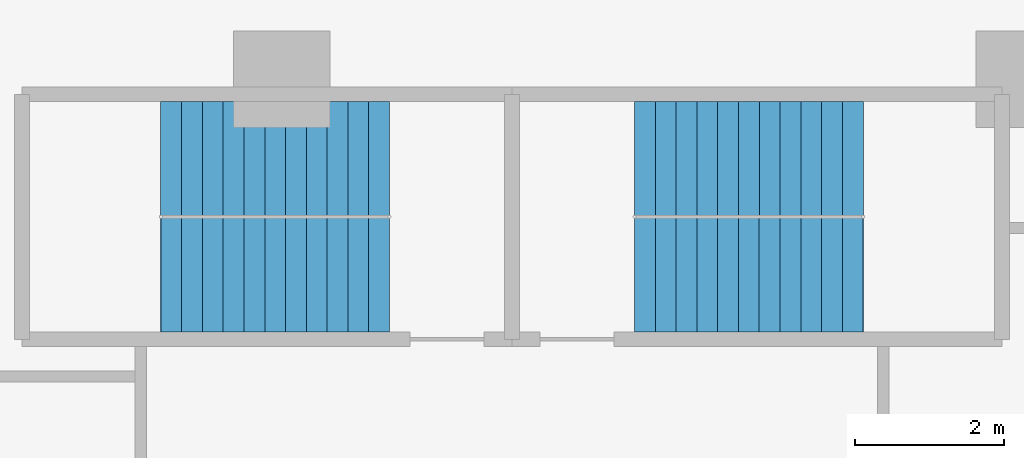
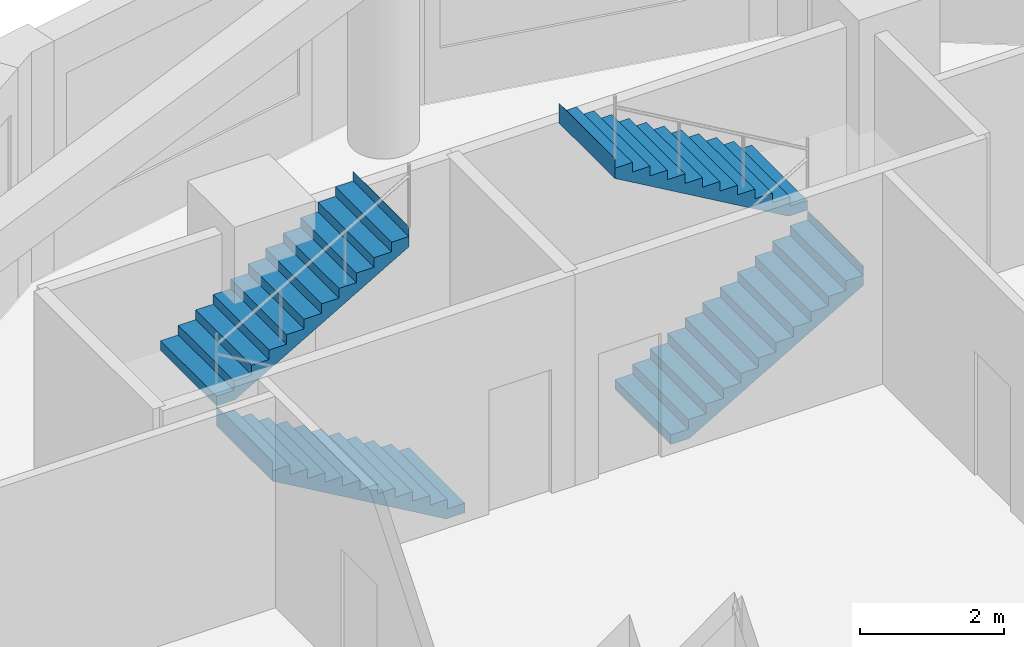
# One storey, part 7 of 9: 4 stair flights, 2 elements without a shape of their own.
"""IFC4 building model written with IfcOpenShell, lengths in metres."""

from ifc_helpers import new_model, si_unit, direction, frame, origin, place, context, subcontext, project, spatial, polyline, outline, extrude, material, type_object, element, aggregate, save


model = new_model("IFC4")

# Units and contexts
model_context = context("Model", 3, precision=1e-05, world=origin(), true_north=direction((0.0, 1.0)))
body_context = subcontext(model_context, "Body", "Model", "MODEL_VIEW")
ifc_project = project(units=[si_unit("LENGTHUNIT", "METRE"), si_unit("AREAUNIT", "SQUARE_METRE"), si_unit("VOLUMEUNIT", "CUBIC_METRE"), si_unit("PLANEANGLEUNIT", "RADIAN"), si_unit("MASSUNIT", "GRAM", prefix="KILO")], contexts=[model_context])

# Site, building, storey
site_placement = place(None, origin())
site = spatial("IfcSite", under=ifc_project, at=site_placement, CompositionType="ELEMENT")
building_placement = place(site_placement, origin())
building = spatial("IfcBuilding", under=site, at=building_placement, Name="Qaws Garden Tower", CompositionType="ELEMENT")
storey_placement = place(building_placement, frame((0.0, 0.0, 190.199951171875)))
storey = spatial("IfcBuildingStorey", under=building, at=storey_placement, Name="L46", CompositionType="ELEMENT", Elevation=190.199951171875)

# Stair, stair flights
ifc_material_1 = material(Name="Concrete C40", Category="concrete")
stair_type = type_object("IfcStairType", Name="Exit stair 1350", PredefinedType="HALF_TURN_STAIR", material=ifc_material_1)
placement = place(storey_placement, origin())
stair_1 = element("IfcStair", 1, at=placement, inside=storey, type_object=stair_type, Name="Stair 6", PredefinedType="HALF_TURN_STAIR")
ifc_material_2 = material(Name="Concrete C40", Category="concrete")
stair_flight_type = type_object("IfcStairFlightType", Name="Stair flight 1350", PredefinedType="STRAIGHT", material=ifc_material_2)
stair_flight_1_placement = place(storey_placement, frame((11.449951171875, 67.375, 0.0), z_axis=(0.0, 0.0, 1.0), x_axis=(-1.0, 0.0, 0.0)))
stair_flight_1 = element("IfcStairFlight", 2, at=stair_flight_1_placement, type_object=stair_flight_type, Name="ST6 flight 1", NumberOfRisers=12, NumberOfTreads=11, PredefinedType="STRAIGHT", RiserHeight=0.1625, TreadLength=0.28, context=body_context, shape_type="SweptSolid", body=[
    extrude(outline(polyline([(-0.0029296875, 0.0), (-0.0029296875, 0.16259765625), (0.0, 0.16259765625), (0.280029296875, 0.16259765625), (0.280029296875, 0.324951171875), (0.56005859375, 0.324951171875), (0.56005859375, 0.487548828125), (0.840087890625, 0.487548828125), (0.840087890625, 0.64990234375), (1.1201171875, 0.64990234375), (1.1201171875, 0.8125), (1.39990234375, 0.8125), (1.39990234375, 0.97509765625), (1.679931640625, 0.97509765625), (1.679931640625, 1.137451171875), (1.9599609375, 1.137451171875), (1.9599609375, 1.300048828125), (2.239990234375, 1.300048828125), (2.239990234375, 1.46240234375), (2.52001953125, 1.46240234375), (2.52001953125, 1.625), (2.800048828125, 1.625), (2.800048828125, 1.78759765625), (3.080078125, 1.78759765625), (3.080078125, 1.949951171875), (3.0830078125, 1.949951171875), (3.0830078125, 1.6142578125), (3.080078125, 1.6142578125), (0.298583984375, 0.0), (-0.0029296875, 0.0)])), frame((0.0, 0.77490234375, 0.0), z_axis=(0.0, -1.0, 0.0), x_axis=(1.0, 0.0, 0.0)), (0.0, 0.0, 1.0), 1.550048828125),
])
stair_flight_2_placement = place(storey_placement, frame((8.3701171875, 68.925048828125, 1.949951171875), z_axis=(0.0, 0.0, 1.0), x_axis=(1.0, 0.0, 0.0)))
stair_flight_2 = element("IfcStairFlight", 3, at=stair_flight_2_placement, type_object=stair_flight_type, Name="ST6 flight 2", NumberOfRisers=12, NumberOfTreads=11, PredefinedType="STRAIGHT", RiserHeight=0.1625, TreadLength=0.28, context=body_context, shape_type="SweptSolid", body=[
    extrude(outline(polyline([(-0.0029296875, 0.0), (-0.0029296875, 0.16259765625), (0.0, 0.16259765625), (0.280029296875, 0.16259765625), (0.280029296875, 0.324951171875), (0.56005859375, 0.324951171875), (0.56005859375, 0.487548828125), (0.840087890625, 0.487548828125), (0.840087890625, 0.64990234375), (1.1201171875, 0.64990234375), (1.1201171875, 0.8125), (1.39990234375, 0.8125), (1.39990234375, 0.97509765625), (1.679931640625, 0.97509765625), (1.679931640625, 1.137451171875), (1.9599609375, 1.137451171875), (1.9599609375, 1.300048828125), (2.239990234375, 1.300048828125), (2.239990234375, 1.46240234375), (2.52001953125, 1.46240234375), (2.52001953125, 1.625), (2.800048828125, 1.625), (2.800048828125, 1.78759765625), (3.080078125, 1.78759765625), (3.080078125, 1.949951171875), (3.0830078125, 1.949951171875), (3.0830078125, 1.6142578125), (3.080078125, 1.6142578125), (0.298583984375, 0.0), (-0.0029296875, 0.0)])), frame((0.0, 0.77490234375, 0.0), z_axis=(0.0, -1.0, 0.0), x_axis=(1.0, 0.0, 0.0)), (0.0, 0.0, 1.0), 1.550048828125),
])
aggregate(stair_1, [stair_flight_1, stair_flight_2])

stair_2 = element("IfcStair", 4, at=placement, inside=storey, type_object=stair_type, Name="Stair 7", PredefinedType="HALF_TURN_STAIR")
stair_flight_3_placement = place(storey_placement, frame((14.75, 67.375, 0.0), z_axis=(0.0, 0.0, 1.0), x_axis=(1.0, 0.0, 0.0)))
stair_flight_3 = element("IfcStairFlight", 5, at=stair_flight_3_placement, type_object=stair_flight_type, Name="ST7 flight 1", NumberOfRisers=12, NumberOfTreads=11, PredefinedType="STRAIGHT", RiserHeight=0.1625, TreadLength=0.28, context=body_context, shape_type="SweptSolid", body=[
    extrude(outline(polyline([(-0.0029296875, 0.0), (-0.0029296875, 0.16259765625), (0.0, 0.16259765625), (0.280029296875, 0.16259765625), (0.280029296875, 0.324951171875), (0.56005859375, 0.324951171875), (0.56005859375, 0.487548828125), (0.840087890625, 0.487548828125), (0.840087890625, 0.64990234375), (1.1201171875, 0.64990234375), (1.1201171875, 0.8125), (1.39990234375, 0.8125), (1.39990234375, 0.97509765625), (1.679931640625, 0.97509765625), (1.679931640625, 1.137451171875), (1.9599609375, 1.137451171875), (1.9599609375, 1.300048828125), (2.239990234375, 1.300048828125), (2.239990234375, 1.46240234375), (2.52001953125, 1.46240234375), (2.52001953125, 1.625), (2.800048828125, 1.625), (2.800048828125, 1.78759765625), (3.080078125, 1.78759765625), (3.080078125, 1.949951171875), (3.0830078125, 1.949951171875), (3.0830078125, 1.6142578125), (3.080078125, 1.6142578125), (0.298583984375, 0.0), (-0.0029296875, 0.0)])), frame((0.0, 0.77490234375, 0.0), z_axis=(0.0, -1.0, 0.0), x_axis=(1.0, 0.0, 0.0)), (0.0, 0.0, 1.0), 1.550048828125),
])
stair_flight_4_placement = place(storey_placement, frame((17.830078125, 68.925048828125, 1.949951171875), z_axis=(0.0, 0.0, 1.0), x_axis=(-1.0, 0.0, 0.0)))
stair_flight_4 = element("IfcStairFlight", 6, at=stair_flight_4_placement, type_object=stair_flight_type, Name="ST7 flight 2", NumberOfRisers=12, NumberOfTreads=11, PredefinedType="STRAIGHT", RiserHeight=0.1625, TreadLength=0.28, context=body_context, shape_type="SweptSolid", body=[
    extrude(outline(polyline([(-0.0029296875, 0.0), (-0.0029296875, 0.16259765625), (0.0, 0.16259765625), (0.280029296875, 0.16259765625), (0.280029296875, 0.324951171875), (0.56005859375, 0.324951171875), (0.56005859375, 0.487548828125), (0.840087890625, 0.487548828125), (0.840087890625, 0.64990234375), (1.1201171875, 0.64990234375), (1.1201171875, 0.8125), (1.39990234375, 0.8125), (1.39990234375, 0.97509765625), (1.679931640625, 0.97509765625), (1.679931640625, 1.137451171875), (1.9599609375, 1.137451171875), (1.9599609375, 1.300048828125), (2.239990234375, 1.300048828125), (2.239990234375, 1.46240234375), (2.52001953125, 1.46240234375), (2.52001953125, 1.625), (2.800048828125, 1.625), (2.800048828125, 1.78759765625), (3.080078125, 1.78759765625), (3.080078125, 1.949951171875), (3.0830078125, 1.949951171875), (3.0830078125, 1.6142578125), (3.080078125, 1.6142578125), (0.298583984375, 0.0), (-0.0029296875, 0.0)])), frame((0.0, 0.77490234375, 0.0), z_axis=(0.0, -1.0, 0.0), x_axis=(1.0, 0.0, 0.0)), (0.0, 0.0, 1.0), 1.550048828125),
])
aggregate(stair_2, [stair_flight_3, stair_flight_4])

save(model, "model.ifc")
